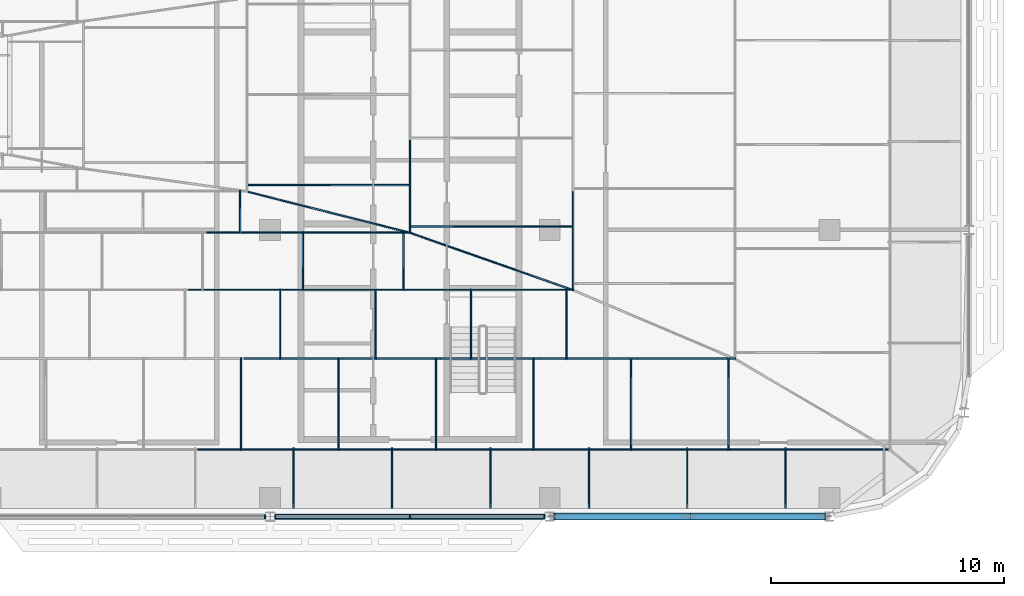
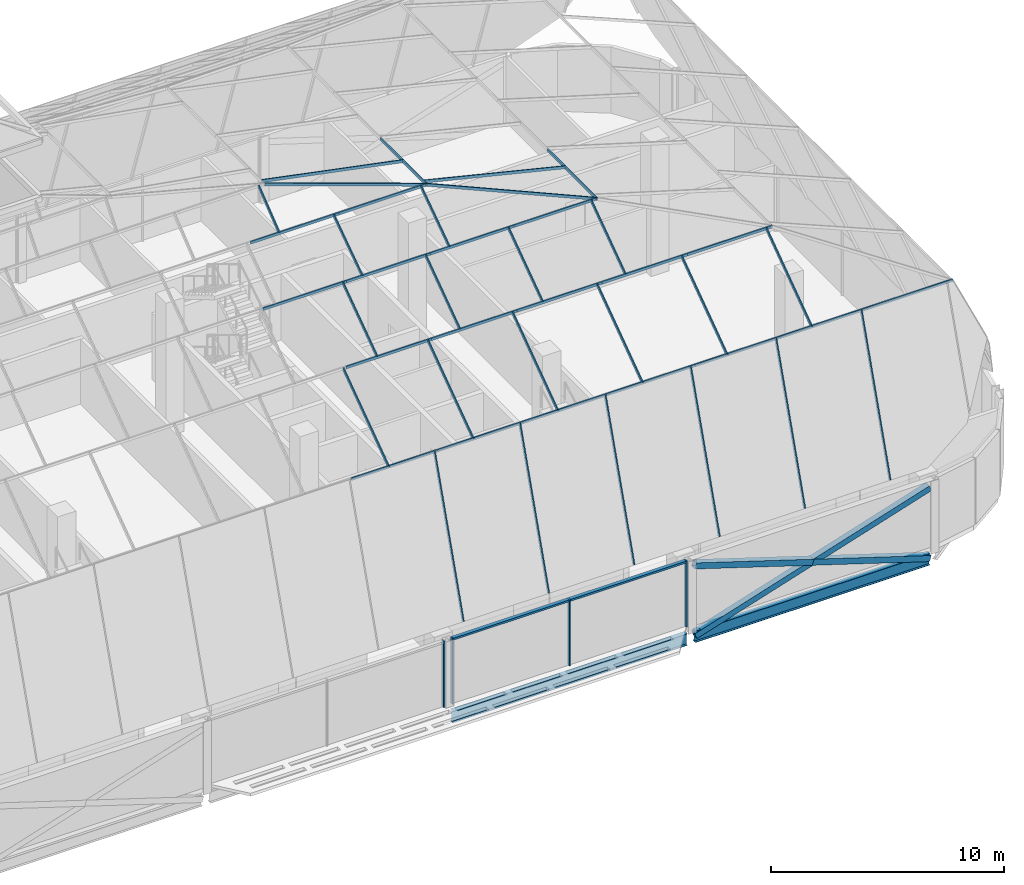
# One storey, part 15 of 39: 52 members, 2 beams, 9 elements without a shape of their own.
"""IFC4 building model written with IfcOpenShell, lengths in metres."""

from ifc_helpers import new_model, si_unit, direction, frame, origin, origin_2d, place, context, subcontext, project, spatial, rectangle, hollow_rectangle, i_section, extrude, material, material_profile, profile_set, type_object, element, aggregate, save


model = new_model("IFC4")

# Units and contexts
model_context = context("Model", 3, precision=1e-05, world=origin(), true_north=direction((0.0, 1.0)))
body_context = subcontext(model_context, "Body", "Model", "MODEL_VIEW")
ifc_project = project(units=[si_unit("LENGTHUNIT", "METRE"), si_unit("AREAUNIT", "SQUARE_METRE"), si_unit("VOLUMEUNIT", "CUBIC_METRE"), si_unit("PLANEANGLEUNIT", "RADIAN"), si_unit("MASSUNIT", "GRAM", prefix="KILO")], contexts=[model_context])

# Site, building, storey
site_placement = place(None, origin())
site = spatial("IfcSite", under=ifc_project, at=site_placement, CompositionType="ELEMENT")
building_placement = place(site_placement, origin())
building = spatial("IfcBuilding", under=site, at=building_placement, Name="Mahtab Terrace Research Tower", CompositionType="ELEMENT")
storey_placement = place(building_placement, frame((0.0, 0.0, 282.300048828125)))
storey = spatial("IfcBuildingStorey", under=building, at=storey_placement, Name="L69", CompositionType="ELEMENT", Elevation=282.300048828125)

# Curtain wall, members
ifc_material_1 = material(Name="Crown faceted glass roof")
curtain_wall_type_1 = type_object("IfcCurtainWallType", Name="Crown faceted glass roof", PredefinedType="NOTDEFINED", material=ifc_material_1)
curtain_wall_1_placement = place(storey_placement, origin())
curtain_wall_1 = element("IfcCurtainWall", 1, at=curtain_wall_1_placement, inside=storey, type_object=curtain_wall_type_1, Name="CROWN.S0", PredefinedType="NOTDEFINED")
ifc_material_2 = material(Name="Natural anodised aluminium", Category="aluminium")
ifc_material_profile_1 = material_profile(ifc_material_2, rectangle(XDim=0.06005859375, YDim=0.139892578125, at=origin_2d()), Name="MULLION 60x140")
ifc_profile_set_1 = profile_set([ifc_material_profile_1], Name="Natural anodised aluminium")
member_type_1 = type_object("IfcMemberType", Name="Crown faceted glass roof mullion", PredefinedType="MULLION", material=ifc_profile_set_1)
member_1_placement = place(storey_placement, frame((19.00634765625, -11.890625, 3.77783203125), z_axis=(0.0, 0.317653941865, 0.948206714392), x_axis=(-1.0, 0.0, 0.0)))
member_1 = element("IfcMember", 2, at=member_1_placement, type_object=member_type_1, Name="CWC-S1 mullion 16", PredefinedType="MULLION", context=body_context, shape_type="SweptSolid", body=[
    extrude(rectangle(XDim=0.06005859375, YDim=0.139892578125, at=origin_2d()), origin(), (0.0, 0.0, 1.0), 7.80419921875),
])
member_2_placement = place(storey_placement, frame((23.22998046875, -11.890625, 3.77783203125), z_axis=(0.0, 0.317653941865, 0.948206714392), x_axis=(-1.0, 0.0, 0.0)))
member_2 = element("IfcMember", 3, at=member_2_placement, type_object=member_type_1, Name="CWC-S1 mullion 17", PredefinedType="MULLION", context=body_context, shape_type="SweptSolid", body=[
    extrude(rectangle(XDim=0.06005859375, YDim=0.139892578125, at=origin_2d()), origin(), (0.0, 0.0, 1.0), 7.80419921875),
])
member_3_placement = place(storey_placement, frame((27.45361328125, -11.890625, 3.77783203125), z_axis=(0.0, 0.317653941865, 0.948206714392), x_axis=(-1.0, 0.0, 0.0)))
member_3 = element("IfcMember", 4, at=member_3_placement, type_object=member_type_1, Name="CWC-S1 mullion 18", PredefinedType="MULLION", context=body_context, shape_type="SweptSolid", body=[
    extrude(rectangle(XDim=0.06005859375, YDim=0.139892578125, at=origin_2d()), origin(), (0.0, 0.0, 1.0), 7.80419921875),
])
member_4_placement = place(storey_placement, frame((31.67724609375, -11.890625, 3.77783203125), z_axis=(0.0, 0.317653941865, 0.948206714392), x_axis=(-1.0, 0.0, 0.0)))
member_4 = element("IfcMember", 5, at=member_4_placement, type_object=member_type_1, Name="CWC-S1 mullion 19", PredefinedType="MULLION", context=body_context, shape_type="SweptSolid", body=[
    extrude(rectangle(XDim=0.06005859375, YDim=0.139892578125, at=origin_2d()), origin(), (0.0, 0.0, 1.0), 7.80419921875),
])
member_5_placement = place(storey_placement, frame((35.90087890625, -11.890625, 3.77783203125), z_axis=(0.0, 0.317653941865, 0.948206714392), x_axis=(-1.0, 0.0, 0.0)))
member_5 = element("IfcMember", 6, at=member_5_placement, type_object=member_type_1, Name="CWC-S1 mullion 20", PredefinedType="MULLION", context=body_context, shape_type="SweptSolid", body=[
    extrude(rectangle(XDim=0.06005859375, YDim=0.139892578125, at=origin_2d()), origin(), (0.0, 0.0, 1.0), 7.80419921875),
])
member_6_placement = place(storey_placement, frame((40.12451171875, -11.890625, 3.77783203125), z_axis=(0.0, 0.317653941865, 0.948206714392), x_axis=(-1.0, 0.0, 0.0)))
member_6 = element("IfcMember", 7, at=member_6_placement, type_object=member_type_1, Name="CWC-S1 mullion 21", PredefinedType="MULLION", context=body_context, shape_type="SweptSolid", body=[
    extrude(rectangle(XDim=0.06005859375, YDim=0.139892578125, at=origin_2d()), origin(), (0.0, 0.0, 1.0), 7.80419921875),
])
aggregate(curtain_wall_1, [member_1, member_2, member_3, member_4, member_5, member_6])

curtain_wall_2_placement = place(storey_placement, origin())
curtain_wall_2 = element("IfcCurtainWall", 8, at=curtain_wall_2_placement, inside=storey, type_object=curtain_wall_type_1, Name="CROWN.S1", PredefinedType="NOTDEFINED")
member_7_placement = place(storey_placement, frame((16.745361328125, -9.437255859375, 11.14306640625), z_axis=(0.0, 0.813260115318, 0.581900322077), x_axis=(-1.0, 0.0, 0.0)))
member_7 = element("IfcMember", 9, at=member_7_placement, type_object=member_type_1, Name="CWC-S2 mullion 14", PredefinedType="MULLION", context=body_context, shape_type="SweptSolid", body=[
    extrude(rectangle(XDim=0.06005859375, YDim=0.139892578125, at=origin_2d()), origin(), (0.0, 0.0, 1.0), 4.81201171875),
])
member_8_placement = place(storey_placement, frame((20.931640625, -9.437255859375, 11.14306640625), z_axis=(0.0, 0.813260115318, 0.581900322077), x_axis=(-1.0, 0.0, 0.0)))
member_8 = element("IfcMember", 10, at=member_8_placement, type_object=member_type_1, Name="CWC-S2 mullion 15", PredefinedType="MULLION", context=body_context, shape_type="SweptSolid", body=[
    extrude(rectangle(XDim=0.06005859375, YDim=0.139892578125, at=origin_2d()), origin(), (0.0, 0.0, 1.0), 4.81201171875),
])
member_9_placement = place(storey_placement, frame((25.117919921875, -9.437255859375, 11.14306640625), z_axis=(0.0, 0.813260115318, 0.581900322077), x_axis=(-1.0, 0.0, 0.0)))
member_9 = element("IfcMember", 11, at=member_9_placement, type_object=member_type_1, Name="CWC-S2 mullion 16", PredefinedType="MULLION", context=body_context, shape_type="SweptSolid", body=[
    extrude(rectangle(XDim=0.06005859375, YDim=0.139892578125, at=origin_2d()), origin(), (0.0, 0.0, 1.0), 4.81201171875),
])
member_10_placement = place(storey_placement, frame((29.304443359375, -9.437255859375, 11.14306640625), z_axis=(0.0, 0.813260115318, 0.581900322077), x_axis=(-1.0, 0.0, 0.0)))
member_10 = element("IfcMember", 12, at=member_10_placement, type_object=member_type_1, Name="CWC-S2 mullion 17", PredefinedType="MULLION", context=body_context, shape_type="SweptSolid", body=[
    extrude(rectangle(XDim=0.06005859375, YDim=0.139892578125, at=origin_2d()), origin(), (0.0, 0.0, 1.0), 4.81201171875),
])
member_11_placement = place(storey_placement, frame((33.49072265625, -9.437255859375, 11.14306640625), z_axis=(0.0, 0.813260115318, 0.581900322077), x_axis=(-1.0, 0.0, 0.0)))
member_11 = element("IfcMember", 13, at=member_11_placement, type_object=member_type_1, Name="CWC-S2 mullion 18", PredefinedType="MULLION", context=body_context, shape_type="SweptSolid", body=[
    extrude(rectangle(XDim=0.06005859375, YDim=0.139892578125, at=origin_2d()), origin(), (0.0, 0.0, 1.0), 4.81201171875),
])
member_12_placement = place(storey_placement, frame((37.677001953125, -9.437255859375, 11.14306640625), z_axis=(0.0, 0.813260115318, 0.581900322077), x_axis=(-1.0, 0.0, 0.0)))
member_12 = element("IfcMember", 14, at=member_12_placement, type_object=member_type_1, Name="CWC-S2 mullion 19", PredefinedType="MULLION", context=body_context, shape_type="SweptSolid", body=[
    extrude(rectangle(XDim=0.06005859375, YDim=0.139892578125, at=origin_2d()), origin(), (0.0, 0.0, 1.0), 4.81201171875),
])

curtain_wall_3_placement = place(storey_placement, origin())
curtain_wall_3 = element("IfcCurtainWall", 15, at=curtain_wall_3_placement, inside=storey, type_object=curtain_wall_type_1, Name="CROWN.S2", PredefinedType="NOTDEFINED")
member_13_placement = place(storey_placement, frame((18.43212890625, -5.524169921875, 13.94287109375), z_axis=(0.0, 0.815304175088, 0.57903290242), x_axis=(-1.0, 0.0, 0.0)))
member_13 = element("IfcMember", 16, at=member_13_placement, type_object=member_type_1, Name="CWC-S3 mullion 13", PredefinedType="MULLION", context=body_context, shape_type="SweptSolid", body=[
    extrude(rectangle(XDim=0.06005859375, YDim=0.139892578125, at=origin_2d()), origin(), (0.0, 0.0, 1.0), 3.626953125),
])
member_14_placement = place(storey_placement, frame((22.528076171875, -5.524169921875, 13.94287109375), z_axis=(0.0, 0.815304175088, 0.57903290242), x_axis=(-1.0, 0.0, 0.0)))
member_14 = element("IfcMember", 17, at=member_14_placement, type_object=member_type_1, Name="CWC-S3 mullion 14", PredefinedType="MULLION", context=body_context, shape_type="SweptSolid", body=[
    extrude(rectangle(XDim=0.06005859375, YDim=0.139892578125, at=origin_2d()), origin(), (0.0, 0.0, 1.0), 3.626953125),
])
member_15_placement = place(storey_placement, frame((26.6240234375, -5.524169921875, 13.94287109375), z_axis=(0.0, 0.815304175088, 0.57903290242), x_axis=(-1.0, 0.0, 0.0)))
member_15 = element("IfcMember", 18, at=member_15_placement, type_object=member_type_1, Name="CWC-S3 mullion 15", PredefinedType="MULLION", context=body_context, shape_type="SweptSolid", body=[
    extrude(rectangle(XDim=0.06005859375, YDim=0.139892578125, at=origin_2d()), origin(), (0.0, 0.0, 1.0), 3.626953125),
])
member_16_placement = place(storey_placement, frame((30.72021484375, -5.524169921875, 13.94287109375), z_axis=(0.0, 0.815304175088, 0.57903290242), x_axis=(-1.0, 0.0, 0.0)))
member_16 = element("IfcMember", 19, at=member_16_placement, type_object=member_type_1, Name="CWC-S3 mullion 16", PredefinedType="MULLION", context=body_context, shape_type="SweptSolid", body=[
    extrude(rectangle(XDim=0.06005859375, YDim=0.139892578125, at=origin_2d()), origin(), (0.0, 0.0, 1.0), 3.626953125),
])

curtain_wall_4_placement = place(storey_placement, origin())
curtain_wall_4 = element("IfcCurtainWall", 20, at=curtain_wall_4_placement, inside=storey, type_object=curtain_wall_type_1, Name="CROWN.S3", PredefinedType="NOTDEFINED")
member_17_placement = place(storey_placement, frame((19.40380859375, -2.56787109375, 16.042236328125), z_axis=(0.0, 0.822770587003, 0.568373610544), x_axis=(-1.0, 0.0, 0.0)))
member_17 = element("IfcMember", 21, at=member_17_placement, type_object=member_type_1, Name="CWC-S4 mullion 11", PredefinedType="MULLION", context=body_context, shape_type="SweptSolid", body=[
    extrude(rectangle(XDim=0.06005859375, YDim=0.139892578125, at=origin_2d()), origin(), (0.0, 0.0, 1.0), 2.991455078125),
])
member_18_placement = place(storey_placement, frame((23.715576171875, -2.56787109375, 16.042236328125), z_axis=(0.0, 0.822770587003, 0.568373610544), x_axis=(-1.0, 0.0, 0.0)))
member_18 = element("IfcMember", 22, at=member_18_placement, type_object=member_type_1, Name="CWC-S4 mullion 12", PredefinedType="MULLION", context=body_context, shape_type="SweptSolid", body=[
    extrude(rectangle(XDim=0.06005859375, YDim=0.139892578125, at=origin_2d()), origin(), (0.0, 0.0, 1.0), 2.991455078125),
])

# Curtain wall, member
curtain_wall_5_placement = place(storey_placement, origin())
curtain_wall_5 = element("IfcCurtainWall", 23, at=curtain_wall_5_placement, inside=storey, type_object=curtain_wall_type_1, Name="CROWN.S4", PredefinedType="NOTDEFINED")
member_19_placement = place(storey_placement, frame((16.7109375, -0.10302734375, 17.7451171875), z_axis=(0.0, 0.784464538832, 0.620173675122), x_axis=(-1.0, 0.0, 0.0)))
member_19 = element("IfcMember", 24, at=member_19_placement, type_object=member_type_1, Name="CWC-S5 mullion 9", PredefinedType="MULLION", context=body_context, shape_type="SweptSolid", body=[
    extrude(rectangle(XDim=0.06005859375, YDim=0.139892578125, at=origin_2d()), origin(), (0.0, 0.0, 1.0), 2.25732421875),
])

curtain_wall_6_placement = place(storey_placement, origin())
curtain_wall_6 = element("IfcCurtainWall", 25, at=curtain_wall_6_placement, inside=storey, type_object=curtain_wall_type_1, Name="CROWN.E3", PredefinedType="NOTDEFINED")
member_20_placement = place(storey_placement, frame((31.003662109375, 0.153564453125, 16.031982421875), z_axis=(-0.971791087506, 0.0, 0.235843342592), x_axis=(0.0, -1.0, 0.0)))
member_20 = element("IfcMember", 26, at=member_20_placement, type_object=member_type_1, Name="CWC-E4 mullion 1", PredefinedType="MULLION", context=body_context, shape_type="SweptSolid", body=[
    extrude(rectangle(XDim=0.06005859375, YDim=0.139892578125, at=origin_2d()), origin(), (0.0, 0.0, 1.0), 7.2080078125),
])

curtain_wall_7_placement = place(storey_placement, origin())
curtain_wall_7 = element("IfcCurtainWall", 27, at=curtain_wall_7_placement, inside=storey, type_object=curtain_wall_type_1, Name="CROWN.E4", PredefinedType="NOTDEFINED")
member_21_placement = place(storey_placement, frame((24.001953125, 1.92431640625, 17.7314453125), z_axis=(-0.980608271489, 0.0, 0.195978105633), x_axis=(0.0, -1.0, 0.0)))
member_21 = element("IfcMember", 28, at=member_21_placement, type_object=member_type_1, Name="CWC-E5 mullion 1", PredefinedType="MULLION", context=body_context, shape_type="SweptSolid", body=[
    extrude(rectangle(XDim=0.06005859375, YDim=0.139892578125, at=origin_2d()), origin(), (0.0, 0.0, 1.0), 7.14306640625),
])

# Member
member_22_placement = place(storey_placement, frame((31.011474609375, -2.586669921875, 16.03369140625), z_axis=(-0.919657305026, 0.323134965389, 0.223191029065), x_axis=(-0.331497070137, -0.943456248318, 0.0)))
member_22 = element("IfcMember", 29, at=member_22_placement, type_object=member_type_1, Name="CWC hip SE 4", PredefinedType="MULLION", context=body_context, shape_type="SweptSolid", body=[
    extrude(rectangle(XDim=0.06005859375, YDim=0.139892578125, at=origin_2d()), origin(), (0.0, 0.0, 1.0), 7.616455078125),
])

member_23_placement = place(storey_placement, frame((24.00830078125, -0.123291015625, 17.734130859375), z_axis=(-0.951797809266, 0.240586884378, 0.190260036115), x_axis=(-0.245063276091, -0.969507086468, 0.0)))
member_23 = element("IfcMember", 30, at=member_23_placement, type_object=member_type_1, Name="CWC hip SE 5", PredefinedType="MULLION", context=body_context, shape_type="SweptSolid", body=[
    extrude(rectangle(XDim=0.06005859375, YDim=0.139892578125, at=origin_2d()), origin(), (0.0, 0.0, 1.0), 7.359130859375),
])

ifc_material_profile_2 = material_profile(ifc_material_2, rectangle(XDim=0.06005859375, YDim=0.139892578125, at=origin_2d()), Name="TRANSOM 60x140")
ifc_profile_set_2 = profile_set([ifc_material_profile_2], Name="Natural anodised aluminium")
member_type_2 = type_object("IfcMemberType", Name="Crown faceted glass roof transom", PredefinedType="USERDEFINED", material=ifc_profile_set_2)
member_24_placement = place(storey_placement, frame((14.8828125, -9.421630859375, 11.158447265625), z_axis=(1.0, 0.0, 0.0), x_axis=(0.0, 1.0, 0.0)))
member_24 = element("IfcMember", 31, at=member_24_placement, type_object=member_type_2, Name="CWC-S2 transom 15", ObjectType="TRANSOM", PredefinedType="USERDEFINED", context=body_context, shape_type="SweptSolid", body=[
    extrude(rectangle(XDim=0.06005859375, YDim=0.139892578125, at=origin_2d()), origin(), (0.0, 0.0, 1.0), 4.252197265625),
])

member_25_placement = place(storey_placement, frame((19.135009765625, -9.421630859375, 11.158447265625), z_axis=(1.0, 0.0, 0.0), x_axis=(0.0, 1.0, 0.0)))
member_25 = element("IfcMember", 32, at=member_25_placement, type_object=member_type_2, Name="CWC-S2 transom 16", ObjectType="TRANSOM", PredefinedType="USERDEFINED", context=body_context, shape_type="SweptSolid", body=[
    extrude(rectangle(XDim=0.06005859375, YDim=0.139892578125, at=origin_2d()), origin(), (0.0, 0.0, 1.0), 4.252197265625),
])

member_26_placement = place(storey_placement, frame((23.38720703125, -9.421630859375, 11.158447265625), z_axis=(1.0, 0.0, 0.0), x_axis=(0.0, 1.0, 0.0)))
member_26 = element("IfcMember", 33, at=member_26_placement, type_object=member_type_2, Name="CWC-S2 transom 17", ObjectType="TRANSOM", PredefinedType="USERDEFINED", context=body_context, shape_type="SweptSolid", body=[
    extrude(rectangle(XDim=0.06005859375, YDim=0.139892578125, at=origin_2d()), origin(), (0.0, 0.0, 1.0), 4.252197265625),
])

member_27_placement = place(storey_placement, frame((27.639404296875, -9.421630859375, 11.158447265625), z_axis=(1.0, 0.0, 0.0), x_axis=(0.0, 1.0, 0.0)))
member_27 = element("IfcMember", 34, at=member_27_placement, type_object=member_type_2, Name="CWC-S2 transom 18", ObjectType="TRANSOM", PredefinedType="USERDEFINED", context=body_context, shape_type="SweptSolid", body=[
    extrude(rectangle(XDim=0.06005859375, YDim=0.139892578125, at=origin_2d()), origin(), (0.0, 0.0, 1.0), 4.252197265625),
])

member_28_placement = place(storey_placement, frame((31.8916015625, -9.421630859375, 11.158447265625), z_axis=(1.0, 0.0, 0.0), x_axis=(0.0, 1.0, 0.0)))
member_28 = element("IfcMember", 35, at=member_28_placement, type_object=member_type_2, Name="CWC-S2 transom 19", ObjectType="TRANSOM", PredefinedType="USERDEFINED", context=body_context, shape_type="SweptSolid", body=[
    extrude(rectangle(XDim=0.06005859375, YDim=0.139892578125, at=origin_2d()), origin(), (0.0, 0.0, 1.0), 4.252197265625),
])

member_29_placement = place(storey_placement, frame((36.143798828125, -9.421630859375, 11.158447265625), z_axis=(1.0, 0.0, 0.0), x_axis=(0.0, 1.0, 0.0)))
member_29 = element("IfcMember", 36, at=member_29_placement, type_object=member_type_2, Name="CWC-S2 transom 20", ObjectType="TRANSOM", PredefinedType="USERDEFINED", context=body_context, shape_type="SweptSolid", body=[
    extrude(rectangle(XDim=0.06005859375, YDim=0.139892578125, at=origin_2d()), origin(), (0.0, 0.0, 1.0), 4.252197265625),
])

member_30_placement = place(storey_placement, frame((40.39599609375, -9.421630859375, 11.158447265625), z_axis=(1.0, 0.0, 0.0), x_axis=(0.0, 1.0, 0.0)))
member_30 = element("IfcMember", 37, at=member_30_placement, type_object=member_type_2, Name="CWC-S2 transom 21", ObjectType="TRANSOM", PredefinedType="USERDEFINED", context=body_context, shape_type="SweptSolid", body=[
    extrude(rectangle(XDim=0.06005859375, YDim=0.139892578125, at=origin_2d()), origin(), (0.0, 0.0, 1.0), 4.251953125),
])

aggregate(curtain_wall_2, [member_7, member_8, member_9, member_10, member_11, member_12, member_24, member_25, member_26, member_27, member_28, member_29, member_30])

member_31_placement = place(storey_placement, frame((16.878662109375, -5.524169921875, 13.94287109375), z_axis=(1.0, 0.0, 0.0), x_axis=(0.0, 1.0, 0.0)))
member_31 = element("IfcMember", 38, at=member_31_placement, type_object=member_type_2, Name="CWC-S3 transom 14", ObjectType="TRANSOM", PredefinedType="USERDEFINED", context=body_context, shape_type="SweptSolid", body=[
    extrude(rectangle(XDim=0.06005859375, YDim=0.139892578125, at=origin_2d()), origin(), (0.0, 0.0, 1.0), 4.2197265625),
])

member_32_placement = place(storey_placement, frame((21.098388671875, -5.524169921875, 13.94287109375), z_axis=(1.0, 0.0, 0.0), x_axis=(0.0, 1.0, 0.0)))
member_32 = element("IfcMember", 39, at=member_32_placement, type_object=member_type_2, Name="CWC-S3 transom 15", ObjectType="TRANSOM", PredefinedType="USERDEFINED", context=body_context, shape_type="SweptSolid", body=[
    extrude(rectangle(XDim=0.06005859375, YDim=0.139892578125, at=origin_2d()), origin(), (0.0, 0.0, 1.0), 4.2197265625),
])

member_33_placement = place(storey_placement, frame((25.318115234375, -5.524169921875, 13.94287109375), z_axis=(1.0, 0.0, 0.0), x_axis=(0.0, 1.0, 0.0)))
member_33 = element("IfcMember", 40, at=member_33_placement, type_object=member_type_2, Name="CWC-S3 transom 16", ObjectType="TRANSOM", PredefinedType="USERDEFINED", context=body_context, shape_type="SweptSolid", body=[
    extrude(rectangle(XDim=0.06005859375, YDim=0.139892578125, at=origin_2d()), origin(), (0.0, 0.0, 1.0), 4.219482421875),
])

member_34_placement = place(storey_placement, frame((29.53759765625, -5.524169921875, 13.94287109375), z_axis=(1.0, 0.0, 0.0), x_axis=(0.0, 1.0, 0.0)))
member_34 = element("IfcMember", 41, at=member_34_placement, type_object=member_type_2, Name="CWC-S3 transom 17", ObjectType="TRANSOM", PredefinedType="USERDEFINED", context=body_context, shape_type="SweptSolid", body=[
    extrude(rectangle(XDim=0.06005859375, YDim=0.139892578125, at=origin_2d()), origin(), (0.0, 0.0, 1.0), 4.2197265625),
])

member_35_placement = place(storey_placement, frame((33.75732421875, -5.524169921875, 13.94287109375), z_axis=(1.0, 0.0, 0.0), x_axis=(0.0, 1.0, 0.0)))
member_35 = element("IfcMember", 42, at=member_35_placement, type_object=member_type_2, Name="CWC-S3 transom 18", ObjectType="TRANSOM", PredefinedType="USERDEFINED", context=body_context, shape_type="SweptSolid", body=[
    extrude(rectangle(XDim=0.06005859375, YDim=0.139892578125, at=origin_2d()), origin(), (0.0, 0.0, 1.0), 4.2197265625),
])

aggregate(curtain_wall_3, [member_13, member_14, member_15, member_16, member_31, member_32, member_33, member_34, member_35])

member_36_placement = place(storey_placement, frame((14.47607421875, -2.5673828125, 16.042724609375), z_axis=(1.0, 0.0, 0.0), x_axis=(0.0, 1.0, 0.0)))
member_36 = element("IfcMember", 43, at=member_36_placement, type_object=member_type_2, Name="CWC-S4 transom 12", ObjectType="TRANSOM", PredefinedType="USERDEFINED", context=body_context, shape_type="SweptSolid", body=[
    extrude(rectangle(XDim=0.06005859375, YDim=0.139892578125, at=origin_2d()), origin(), (0.0, 0.0, 1.0), 4.135986328125),
])

member_37_placement = place(storey_placement, frame((18.612060546875, -2.5673828125, 16.042724609375), z_axis=(1.0, 0.0, 0.0), x_axis=(0.0, 1.0, 0.0)))
member_37 = element("IfcMember", 44, at=member_37_placement, type_object=member_type_2, Name="CWC-S4 transom 13", ObjectType="TRANSOM", PredefinedType="USERDEFINED", context=body_context, shape_type="SweptSolid", body=[
    extrude(rectangle(XDim=0.06005859375, YDim=0.139892578125, at=origin_2d()), origin(), (0.0, 0.0, 1.0), 4.135986328125),
])

member_38_placement = place(storey_placement, frame((22.748046875, -2.5673828125, 16.042724609375), z_axis=(1.0, 0.0, 0.0), x_axis=(0.0, 1.0, 0.0)))
member_38 = element("IfcMember", 45, at=member_38_placement, type_object=member_type_2, Name="CWC-S4 transom 14", ObjectType="TRANSOM", PredefinedType="USERDEFINED", context=body_context, shape_type="SweptSolid", body=[
    extrude(rectangle(XDim=0.06005859375, YDim=0.139892578125, at=origin_2d()), origin(), (0.0, 0.0, 1.0), 4.135986328125),
])

member_39_placement = place(storey_placement, frame((26.884033203125, -2.5673828125, 16.042724609375), z_axis=(1.0, 0.0, 0.0), x_axis=(0.0, 1.0, 0.0)))
member_39 = element("IfcMember", 46, at=member_39_placement, type_object=member_type_2, Name="CWC-S4 transom 15", ObjectType="TRANSOM", PredefinedType="USERDEFINED", context=body_context, shape_type="SweptSolid", body=[
    extrude(rectangle(XDim=0.06005859375, YDim=0.139892578125, at=origin_2d()), origin(), (0.0, 0.0, 1.0), 4.13623046875),
])

aggregate(curtain_wall_4, [member_17, member_18, member_36, member_37, member_38, member_39, member_22])

member_40_placement = place(storey_placement, frame((15.28271484375, -0.104736328125, 17.74365234375), z_axis=(1.0, 0.0, 0.0), x_axis=(0.0, 1.0, 0.0)))
member_40 = element("IfcMember", 47, at=member_40_placement, type_object=member_type_2, Name="CWC-S5 transom 10", ObjectType="TRANSOM", PredefinedType="USERDEFINED", context=body_context, shape_type="SweptSolid", body=[
    extrude(rectangle(XDim=0.06005859375, YDim=0.139892578125, at=origin_2d()), origin(), (0.0, 0.0, 1.0), 4.366455078125),
])

member_41_placement = place(storey_placement, frame((19.649169921875, -0.104736328125, 17.74365234375), z_axis=(1.0, 0.0, 0.0), x_axis=(0.0, 1.0, 0.0)))
member_41 = element("IfcMember", 48, at=member_41_placement, type_object=member_type_2, Name="CWC-S5 transom 11", ObjectType="TRANSOM", PredefinedType="USERDEFINED", context=body_context, shape_type="SweptSolid", body=[
    extrude(rectangle(XDim=0.06005859375, YDim=0.139892578125, at=origin_2d()), origin(), (0.0, 0.0, 1.0), 4.366455078125),
])

aggregate(curtain_wall_5, [member_19, member_40, member_41, member_23])

member_42_placement = place(storey_placement, frame((31.001708984375, -2.607666015625, 16.032470703125), z_axis=(0.0, 1.0, 0.0), x_axis=(-1.0, 0.0, 0.0)))
member_42 = element("IfcMember", 49, at=member_42_placement, type_object=member_type_2, Name="CWC-E4 transom 1", ObjectType="TRANSOM", PredefinedType="USERDEFINED", context=body_context, shape_type="SweptSolid", body=[
    extrude(rectangle(XDim=0.06005859375, YDim=0.139892578125, at=origin_2d()), origin(), (0.0, 0.0, 1.0), 4.23779296875),
])

aggregate(curtain_wall_6, [member_20, member_42])

member_43_placement = place(storey_placement, frame((24.00048828125, -0.146484375, 17.731689453125), z_axis=(0.0, 1.0, 0.0), x_axis=(-1.0, 0.0, 0.0)))
member_43 = element("IfcMember", 50, at=member_43_placement, type_object=member_type_2, Name="CWC-E5 transom 1", ObjectType="TRANSOM", PredefinedType="USERDEFINED", context=body_context, shape_type="SweptSolid", body=[
    extrude(rectangle(XDim=0.06005859375, YDim=0.139892578125, at=origin_2d()), origin(), (0.0, 0.0, 1.0), 3.986572265625),
])

aggregate(curtain_wall_7, [member_21, member_43])

# Members
ifc_material_3 = material(Name="Steel ASTM A500 Gr C", Category="steel")
ifc_material_profile_3 = material_profile(ifc_material_3, hollow_rectangle(XDim=0.3046875, YDim=0.3046875, WallThickness=0.015869140625, at=origin_2d()), Name="HSS12X12X5/8")
ifc_profile_set_3 = profile_set([ifc_material_profile_3], Name="Steel ASTM A500 Gr C")
member_type_3 = type_object("IfcMemberType", Name="HSS 12x12x5/8 brace XB121258", PredefinedType="BRACE", material=ifc_profile_set_3)
member_44_placement = place(storey_placement, frame((30.19677734375, -12.306884765625, -0.581298828125), z_axis=(0.953344149173, 0.0, 0.301885629399), x_axis=(0.0, 1.0, 0.0)))
element("IfcMember", 51, at=member_44_placement, inside=storey, type_object=member_type_3, Name="Exoskeleton brace L69 20 a", PredefinedType="BRACE", context=body_context, shape_type="SweptSolid", body=[
    extrude(hollow_rectangle(XDim=0.3046875, YDim=0.3046875, WallThickness=0.015869140625, at=origin_2d()), origin(), (0.0, 0.0, 1.0), 12.174560546875),
])
for number, where, z_axis, x_axis, name in (
    (52, (41.80322265625, -12.306884765625, -0.581298828125), (-0.953344149173, 0.0, 0.301885629399), (0.0, -1.0, 0.0), "Exoskeleton brace L69 20 b1"),
    (53, (36.0, -12.306884765625, 1.25634765625), (-0.953344149173, 0.0, 0.301885629399), (0.0, -1.0, 0.0), "Exoskeleton brace L69 20 b2"),
):
    element("IfcMember", number, at=place(storey_placement, frame(where, z_axis=z_axis, x_axis=x_axis)), inside=storey, type_object=member_type_3, Name=name, PredefinedType="BRACE", context=body_context, shape_type="SweptSolid", body=[
        extrude(hollow_rectangle(XDim=0.3046875, YDim=0.3046875, WallThickness=0.015869140625, at=origin_2d()), origin(), (0.0, 0.0, 1.0), 6.087158203125),
    ])

# Curtain wall, member
ifc_material_4 = material(Name="Office ribbon curtain wall")
curtain_wall_type_2 = type_object("IfcCurtainWallType", Name="Office ribbon curtain wall", PredefinedType="NOTDEFINED", material=ifc_material_4)
curtain_wall_8_placement = place(storey_placement, origin())
curtain_wall_8 = element("IfcCurtainWall", 54, at=curtain_wall_8_placement, inside=storey, type_object=curtain_wall_type_2, Name="EN.L69.13.27", PredefinedType="NOTDEFINED")
ifc_material_profile_4 = material_profile(ifc_material_2, rectangle(XDim=0.179931640625, YDim=0.06005859375, at=origin_2d()), Name="MULLION 60x180")
ifc_profile_set_4 = profile_set([ifc_material_profile_4], Name="Natural anodised aluminium")
member_type_4 = type_object("IfcMemberType", Name="Office ribbon curtain wall mullion", PredefinedType="MULLION", material=ifc_profile_set_4)
member_45_placement = place(storey_placement, frame((17.781982421875, -12.306884765625, 0.0), z_axis=(0.0, 0.0, 1.0), x_axis=(0.0, 1.0, 0.0)))
member_45 = element("IfcMember", 55, at=member_45_placement, type_object=member_type_4, Name="CWO-8 mullion 3", PredefinedType="MULLION", context=body_context, shape_type="SweptSolid", body=[
    extrude(rectangle(XDim=0.179931640625, YDim=0.06005859375, at=origin_2d()), origin(), (0.0, 0.0, 1.0), 3.4599609375),
])
aggregate(curtain_wall_8, [member_45])

# Curtain wall, members
curtain_wall_9_placement = place(storey_placement, origin())
curtain_wall_9 = element("IfcCurtainWall", 56, at=curtain_wall_9_placement, inside=storey, type_object=curtain_wall_type_2, Name="EN.L69.13.28", PredefinedType="NOTDEFINED")
member_46_placement = place(storey_placement, frame((18.218017578125, -12.306884765625, 0.0), z_axis=(0.0, 0.0, 1.0), x_axis=(0.0, 1.0, 0.0)))
member_46 = element("IfcMember", 57, at=member_46_placement, type_object=member_type_4, Name="CWO-8 mullion 1", PredefinedType="MULLION", context=body_context, shape_type="SweptSolid", body=[
    extrude(rectangle(XDim=0.179931640625, YDim=0.06005859375, at=origin_2d()), origin(), (0.0, 0.0, 1.0), 3.4599609375),
])
member_47_placement = place(storey_placement, frame((24.0, -12.306884765625, 0.0), z_axis=(0.0, 0.0, 1.0), x_axis=(0.0, 1.0, 0.0)))
member_47 = element("IfcMember", 58, at=member_47_placement, type_object=member_type_4, Name="CWO-8 mullion 2", PredefinedType="MULLION", context=body_context, shape_type="SweptSolid", body=[
    extrude(rectangle(XDim=0.179931640625, YDim=0.06005859375, at=origin_2d()), origin(), (0.0, 0.0, 1.0), 3.4599609375),
])
member_48_placement = place(storey_placement, frame((29.781982421875, -12.306884765625, 0.0), z_axis=(0.0, 0.0, 1.0), x_axis=(0.0, 1.0, 0.0)))
member_48 = element("IfcMember", 59, at=member_48_placement, type_object=member_type_4, Name="CWO-8 mullion 3", PredefinedType="MULLION", context=body_context, shape_type="SweptSolid", body=[
    extrude(rectangle(XDim=0.179931640625, YDim=0.06005859375, at=origin_2d()), origin(), (0.0, 0.0, 1.0), 3.4599609375),
])
ifc_material_profile_5 = material_profile(ifc_material_2, rectangle(XDim=0.179931640625, YDim=0.10009765625, at=origin_2d()), Name="TRANSOM 100x180")
ifc_profile_set_5 = profile_set([ifc_material_profile_5], Name="Natural anodised aluminium")
member_type_5 = type_object("IfcMemberType", Name="Office ribbon curtain wall transom", PredefinedType="USERDEFINED", material=ifc_profile_set_5)
member_49_placement = place(storey_placement, frame((18.248046875, -12.306884765625, 3.409912109375), z_axis=(1.0, 0.0, 0.0), x_axis=(0.0, 1.0, 0.0)))
member_49 = element("IfcMember", 60, at=member_49_placement, type_object=member_type_5, Name="CWO-8 transom 1", ObjectType="TRANSOM", PredefinedType="USERDEFINED", context=body_context, shape_type="SweptSolid", body=[
    extrude(rectangle(XDim=0.179931640625, YDim=0.10009765625, at=origin_2d()), origin(), (0.0, 0.0, 1.0), 5.721923828125),
])
member_50_placement = place(storey_placement, frame((24.030029296875, -12.306884765625, 3.409912109375), z_axis=(1.0, 0.0, 0.0), x_axis=(0.0, 1.0, 0.0)))
member_50 = element("IfcMember", 61, at=member_50_placement, type_object=member_type_5, Name="CWO-8 transom 2", ObjectType="TRANSOM", PredefinedType="USERDEFINED", context=body_context, shape_type="SweptSolid", body=[
    extrude(rectangle(XDim=0.179931640625, YDim=0.10009765625, at=origin_2d()), origin(), (0.0, 0.0, 1.0), 5.721923828125),
])
aggregate(curtain_wall_9, [member_46, member_47, member_48, member_49, member_50])

# Beams
ifc_material_5 = material(Name="Steel ASTM A992 Gr 50", Category="steel")
ifc_material_profile_6 = material_profile(ifc_material_5, i_section(OverallWidth=0.228271484375, OverallDepth=0.607177734375, WebThickness=0.01123046875, FlangeThickness=0.017333984375, at=origin_2d()), Name="W24X76")
ifc_profile_set_6 = profile_set([ifc_material_profile_6], Name="Steel ASTM A992 Gr 50")
beam_type = type_object("IfcBeamType", Name="W24x76 beam BS2476", PredefinedType="BEAM", material=ifc_profile_set_6)
for number, where, z_axis, x_axis, name in (
    (62, (18.19677734375, -12.306884765625, -0.6435546875), (1.0, 0.0, 0.0), (0.0, 1.0, 0.0), "Spandrel beam L69 19"),
    (63, (30.19677734375, -12.306884765625, -0.6435546875), (1.0, 0.0, 0.0), (0.0, 1.0, 0.0), "Spandrel beam L69 20"),
):
    element("IfcBeam", number, at=place(storey_placement, frame(where, z_axis=z_axis, x_axis=x_axis)), inside=storey, type_object=beam_type, Name=name, PredefinedType="BEAM", context=body_context, shape_type="SweptSolid", body=[
        extrude(i_section(OverallWidth=0.228271484375, OverallDepth=0.607177734375, WebThickness=0.01123046875, FlangeThickness=0.017333984375, at=origin_2d()), origin(), (0.0, 0.0, 1.0), 11.6064453125),
    ])

save(model, "model.ifc")
